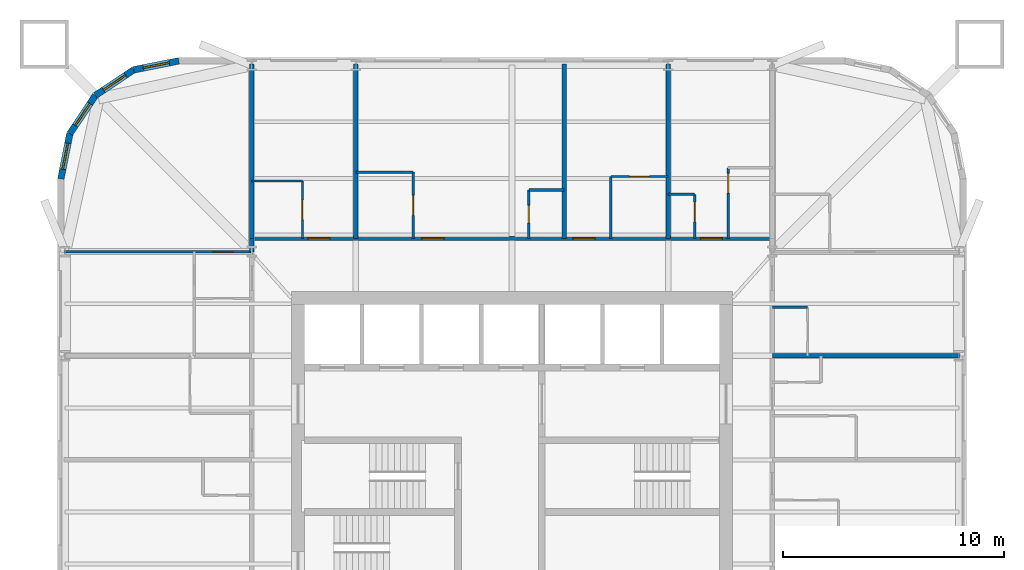
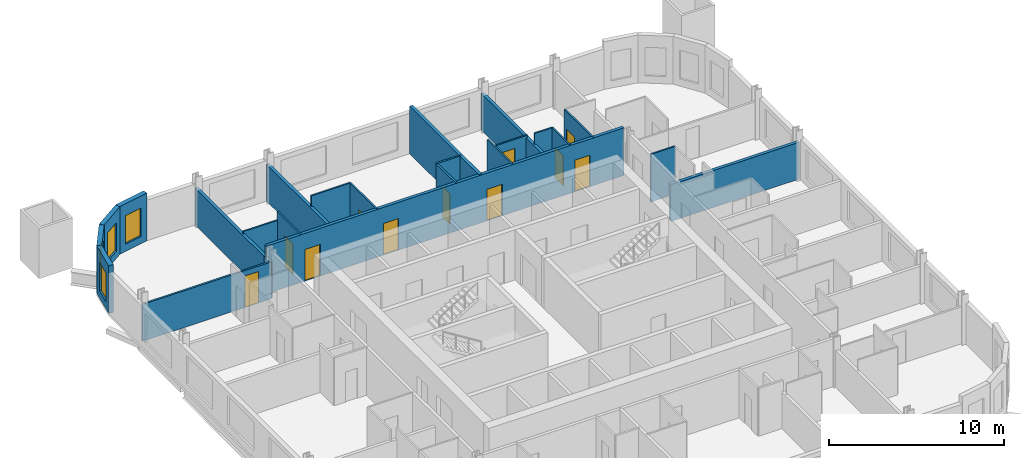
# One storey, part 6 of 8: 24 walls, 11 doors, 4 windows, 15 openings.
"""IFC4 building model written with IfcOpenShell, lengths in metres."""

import ifcopenshell
import ifcopenshell.guid

model = None  # the IFC model being written
_history = None  # IfcOwnerHistory: only IFC2X3 demands one
_inside = {}  # id of a spatial element -> (the spatial element, [elements in it])
_under = {}  # id of a project, library or spatial element -> (it, [spatial elements below it])
_declared = {}  # id of a project -> (the project, [libraries it declares])
_typed = {}  # id of a type object -> (the type object, [elements of that type])
_made_of = {}  # id of a material, layer set ... -> (it, [elements and type objects made of it])


def new_model(schema):
    """Start an empty IFC model of exactly this schema.

    Asked for "IFC4X3", IfcOpenShell would pick the latest addendum, in which some entities
    have other attributes; the version numbers below select the first issue.
    IFC2X3 requires an IfcOwnerHistory on every rooted entity: one is made here for all.
    """
    global model, _history
    if schema == "IFC4X3":
        model = ifcopenshell.file(schema_version=(4, 3, 0, 0))
    else:
        model = ifcopenshell.file(schema=schema)
    _inside.clear()
    _under.clear()
    _declared.clear()
    _typed.clear()
    _made_of.clear()
    _history = None
    if model.schema == "IFC2X3":
        org = make("IfcOrganization", Name="unknown")
        user = make(
            "IfcPersonAndOrganization",
            ThePerson=make("IfcPerson", FamilyName="unknown"),
            TheOrganization=org,
        )
        app = make(
            "IfcApplication",
            ApplicationDeveloper=org,
            Version="unknown",
            ApplicationFullName="unknown",
            ApplicationIdentifier="unknown",
        )
        _history = make(
            "IfcOwnerHistory",
            OwningUser=user,
            OwningApplication=app,
            ChangeAction="ADDED",
            CreationDate=0,
        )
    return model


def make(cls, **values):
    """One entity of the class cls with the attributes given. An attribute that is None is left unset."""
    return model.create_entity(
        cls, **{name: value for name, value in values.items() if value is not None}
    )


def rooted(cls, **values):
    """An entity with a GlobalId (a new one), such as an element, a storey or a relation."""
    return make(cls, GlobalId=ifcopenshell.guid.new(), OwnerHistory=_history, **values)


def si_unit(unit_type, name, prefix=None):
    """IfcSIUnit, for example si_unit("LENGTHUNIT", "METRE", prefix="MILLI")."""
    return make("IfcSIUnit", UnitType=unit_type, Prefix=prefix, Name=name)


def assignment(units):
    """IfcUnitAssignment: the units of a project."""
    return None if units is None else make("IfcUnitAssignment", Units=units)


def point(xyz):
    """IfcCartesianPoint."""
    return None if xyz is None else make("IfcCartesianPoint", Coordinates=xyz)


def direction(xyz):
    """IfcDirection."""
    return None if xyz is None else make("IfcDirection", DirectionRatios=xyz)


def frame(location, z_axis=None, x_axis=None):
    """IfcAxis2Placement3D, a coordinate frame: its origin and axes. An axis left out is left unset."""
    return make(
        "IfcAxis2Placement3D",
        Location=point(location),
        Axis=direction(z_axis),
        RefDirection=direction(x_axis),
    )


def frame_2d(location, x_axis=None):
    """IfcAxis2Placement2D, a coordinate frame in the plane: its origin and x axis."""
    return make(
        "IfcAxis2Placement2D", Location=point(location), RefDirection=direction(x_axis)
    )


def origin():
    """The frame at (0, 0, 0) with its axes left unset."""
    return frame((0.0, 0.0, 0.0))


def place(relative_to, where):
    """IfcLocalPlacement: puts the frame where relative to a parent placement (None: the world)."""
    return make(
        "IfcLocalPlacement", PlacementRelTo=relative_to, RelativePlacement=where
    )


def context(
    kind, dimensions, precision=None, world=None, true_north=None, identifier=None
):
    """IfcGeometricRepresentationContext, for example the 3D "Model" context."""
    return make(
        "IfcGeometricRepresentationContext",
        ContextIdentifier=identifier,
        ContextType=kind,
        CoordinateSpaceDimension=dimensions,
        Precision=precision,
        WorldCoordinateSystem=world,
        TrueNorth=true_north,
    )


def subcontext(parent, identifier, kind, view, scale=None):
    """IfcGeometricRepresentationSubContext, for example "Body" below "Model"."""
    return make(
        "IfcGeometricRepresentationSubContext",
        ContextIdentifier=identifier,
        ContextType=kind,
        ParentContext=parent,
        TargetScale=scale,
        TargetView=view,
    )


def project(units=None, contexts=None):
    """IfcProject with its units and contexts."""
    return rooted(
        "IfcProject",
        Name="project",
        RepresentationContexts=contexts,
        UnitsInContext=assignment(units),
    )


def spatial(cls, under=None, at=None, **own):
    """A site, building, storey or space (cls), placed at a placement, below another one or the project."""
    s = rooted(cls, ObjectPlacement=at, **own)
    if under is not None:
        _under.setdefault(under.id(), (under, []))[1].append(s)
    return s


def profile(cls, at=None, kind="AREA", **sizes):
    """A parametric profile (cls). Its sizes go by their IFC names, for example OverallWidth=200.0."""
    return make(cls, ProfileType=kind, Position=at, **sizes)


def rectangle(**sizes):
    """IfcRectangleProfileDef."""
    return profile("IfcRectangleProfileDef", **sizes)


def extrude(swept, where, along, depth):
    """IfcExtrudedAreaSolid: the profile swept, set in the frame where, extruded along a direction by depth."""
    return make(
        "IfcExtrudedAreaSolid",
        SweptArea=swept,
        Position=where,
        ExtrudedDirection=direction(along),
        Depth=depth,
    )


def shape(context_of_items, identifier, shape_type, items):
    """IfcShapeRepresentation: the items that make up one representation, for example the "Body"."""
    return make(
        "IfcShapeRepresentation",
        ContextOfItems=context_of_items,
        RepresentationIdentifier=identifier,
        RepresentationType=shape_type,
        Items=items,
    )


def material(Name=None, Category=None):
    """IfcMaterial."""
    return make("IfcMaterial", Name=Name, Category=Category)


def layer(
    of_material, thickness, ventilated=None, Name=None, Category=None, Priority=None
):
    """IfcMaterialLayer: one layer of a wall or slab, of a material (None: an air gap)."""
    return make(
        "IfcMaterialLayer",
        Material=of_material,
        LayerThickness=thickness,
        IsVentilated=ventilated,
        Name=Name,
        Category=Category,
        Priority=Priority,
    )


def layer_set(layers, Name=None):
    """IfcMaterialLayerSet."""
    return make("IfcMaterialLayerSet", MaterialLayers=layers, LayerSetName=Name)


def made_of(thing, what):
    """Note that an element or type object is made of a material, layer set ...; save() writes the relation."""
    if what is not None:
        _made_of.setdefault(what.id(), (what, []))[1].append(thing)
    return thing


def type_object(cls, material=None, **own):
    """A type object (cls), such as IfcWallType, which elements share."""
    return made_of(rooted(cls, **own), material)


def element(
    cls,
    number,
    at=None,
    inside=None,
    cuts=None,
    type_object=None,
    material=None,
    context=None,
    identifier="Body",
    shape_type=None,
    held_by="IfcProductDefinitionShape",
    body=None,
    shapes=None,
    **own,
):
    """One element of the class cls, such as IfcWall. Its Tag is "e" and its number.

    at: its placement. inside: the storey or other place that contains it. cuts: it is an
    opening in that element (IfcRelVoidsElement). A single representation is given by context,
    identifier, shape_type and body (its items); several are given by shapes. held_by: the class
    of the entity that holds the representations. save() writes the other relations.
    """
    e = rooted(cls, Tag="e%d" % number, ObjectPlacement=at, **own)
    if body is not None:
        shapes = [shape(context, identifier, shape_type, body)]
    if shapes is not None:
        e.Representation = make(held_by, Representations=shapes)
    if inside is not None:
        _inside.setdefault(inside.id(), (inside, []))[1].append(e)
    if cuts is not None:
        rooted(
            "IfcRelVoidsElement", RelatingBuildingElement=cuts, RelatedOpeningElement=e
        )
    if type_object is not None:
        _typed.setdefault(type_object.id(), (type_object, []))[1].append(e)
    return made_of(e, material)


def fill(opening, filler):
    """IfcRelFillsElement: the door or window that sits in an opening."""
    return rooted(
        "IfcRelFillsElement",
        RelatingOpeningElement=opening,
        RelatedBuildingElement=filler,
    )


def aggregate(whole, parts):
    """IfcRelAggregates: a whole, such as a stair, and the parts it consists of."""
    return rooted("IfcRelAggregates", RelatingObject=whole, RelatedObjects=parts)


def save(model, path):
    """Write the relations noted so far, then the file.

    IfcRelAggregates (storeys below a building ...), IfcRelContainedInSpatialStructure (elements
    in a storey), IfcRelDefinesByType, IfcRelAssociatesMaterial and IfcRelDeclares: one each for
    every whole, place, type object, material and project.
    """
    for whole, parts in _under.values():
        aggregate(whole, parts)
    for where, things in _inside.values():
        rooted(
            "IfcRelContainedInSpatialStructure",
            RelatedElements=things,
            RelatingStructure=where,
        )
    for kind, things in _typed.values():
        rooted("IfcRelDefinesByType", RelatedObjects=things, RelatingType=kind)
    for what, things in _made_of.values():
        rooted("IfcRelAssociatesMaterial", RelatedObjects=things, RelatingMaterial=what)
    for by, libraries in _declared.values():
        rooted("IfcRelDeclares", RelatingContext=by, RelatedDefinitions=libraries)
    model.write(path)


model = new_model("IFC4")

# Units and contexts
model_context = context("Model", 3, precision=1e-05, world=origin(), true_north=direction((0.0, 1.0)))
body_context = subcontext(model_context, "Body", "Model", "MODEL_VIEW")
ifc_project = project(units=[si_unit("LENGTHUNIT", "METRE"), si_unit("AREAUNIT", "SQUARE_METRE"), si_unit("VOLUMEUNIT", "CUBIC_METRE"), si_unit("PLANEANGLEUNIT", "RADIAN"), si_unit("MASSUNIT", "GRAM", prefix="KILO")], contexts=[model_context])

# Site, building, storey
site_placement = place(None, origin())
site = spatial("IfcSite", under=ifc_project, at=site_placement, CompositionType="ELEMENT")
building_placement = place(site_placement, origin())
building = spatial("IfcBuilding", under=site, at=building_placement, Name="Turquesa Mirador Hotel Tower", CompositionType="ELEMENT")
storey_placement = place(building_placement, frame((0.0, 0.0, 103.89990234375)))
storey = spatial("IfcBuildingStorey", under=building, at=storey_placement, Name="L27", CompositionType="ELEMENT", Elevation=103.89990234375)

# Walls
ifc_material_1 = material(Name="Gypsum board on steel studs", Category="steel")
ifc_layer_1 = layer(ifc_material_1, 0.10009765625)
ifc_layer_set_1 = layer_set([ifc_layer_1], Name="BATHROOM WALL 100")
wall_type_1 = type_object("IfcWallType", Name="BATHROOM WALL 100", PredefinedType="PARTITIONING", material=ifc_layer_set_1)
wall_1_placement = place(storey_placement, frame((62.080078125, 59.39990234375, 0.0), z_axis=(0.0, 0.0, 1.0), x_axis=(1.0, 0.0, 0.0)))
element("IfcWall", 1, at=wall_1_placement, inside=storey, type_object=wall_type_1, Name="Partition L27 025", PredefinedType="PARTITIONING", context=body_context, shape_type="SweptSolid", body=[
    extrude(rectangle(XDim=1.199951171875, YDim=0.10009765625, at=frame_2d((0.60009765625, 0.0))), origin(), (0.0, 0.0, 1.0), 3.330078125),
])
wall_2_placement = place(storey_placement, frame((43.199951171875, 60.0, 0.0), z_axis=(0.0, 0.0, 1.0), x_axis=(1.0, 0.0, 0.0)))
element("IfcWall", 2, at=wall_2_placement, inside=storey, type_object=wall_type_1, Name="Partition L27 028", PredefinedType="PARTITIONING", context=body_context, shape_type="SweptSolid", body=[
    extrude(rectangle(XDim=2.300048828125, YDim=0.10009765625, at=frame_2d((1.14990234375, 0.0))), origin(), (0.0, 0.0, 1.0), 2.730712890625),
])

# Wall, opening, door
wall_3_placement = place(storey_placement, frame((59.47998046875, 60.199951171875, 0.0), z_axis=(0.0, 0.0, 1.0), x_axis=(1.0, 0.0, 0.0)))
wall_3 = element("IfcWall", 3, at=wall_3_placement, inside=storey, type_object=wall_type_1, Name="Partition L27 029", PredefinedType="PARTITIONING", context=body_context, shape_type="SweptSolid", body=[
    extrude(rectangle(XDim=2.60009765625, YDim=0.10009765625, at=frame_2d((1.300048828125, 0.0))), origin(), (0.0, 0.0, 1.0), 2.730712890625),
])
opening_1_placement = place(wall_3_placement, frame((0.85009765625, 0.0, 0.0)))
opening_1 = element("IfcOpeningElement", 4, at=opening_1_placement, cuts=wall_3, Name="Opening D02", PredefinedType="OPENING", context=body_context, shape_type="SweptSolid", body=[
    extrude(rectangle(XDim=0.89990234375, YDim=2.10009765625, at=frame_2d((0.449951171875, 1.050048828125))), frame((0.0, 0.06005859375, 0.0), z_axis=(0.0, -1.0, 0.0), x_axis=(1.0, 0.0, 0.0)), (0.0, 0.0, 1.0), 0.1201171875),
])
ifc_material_2 = material(Name="Timber veneered door", Category="wood")
door_type_1 = type_object("IfcDoorType", Name="DOOR 900X2100 EN-SUITE", OperationType="SINGLE_SWING_RIGHT", PredefinedType="DOOR", material=ifc_material_2)
door_1_placement = place(opening_1_placement, origin())
door_1 = element("IfcDoor", 5, at=door_1_placement, inside=storey, type_object=door_type_1, Name="Door 2703B", OperationType="SINGLE_SWING_RIGHT", OverallHeight=2.10009765625, OverallWidth=0.89990234375, PredefinedType="DOOR", context=body_context, shape_type="SweptSolid", body=[
    extrude(rectangle(XDim=0.89990234375, YDim=2.10009765625, at=frame_2d((0.449951171875, 1.050048828125))), frame((0.0, 0.02490234375, 0.0), z_axis=(0.0, -1.0, 0.0), x_axis=(1.0, 0.0, 0.0)), (0.0, 0.0, 1.0), 0.050048828125),
])
fill(opening_1, door_1)

# Walls
wall_4_placement = place(storey_placement, frame((47.919921875, 60.39990234375, 0.0), z_axis=(0.0, 0.0, 1.0), x_axis=(1.0, 0.0, 0.0)))
element("IfcWall", 6, at=wall_4_placement, inside=storey, type_object=wall_type_1, Name="Partition L27 030", PredefinedType="PARTITIONING", context=body_context, shape_type="SweptSolid", body=[
    extrude(rectangle(XDim=2.60009765625, YDim=0.10009765625, at=frame_2d((1.300048828125, 0.0))), origin(), (0.0, 0.0, 1.0), 3.330078125),
])
wall_5_placement = place(storey_placement, frame((66.800048828125, 54.280029296875, 0.0), z_axis=(0.0, 0.0, 1.0), x_axis=(1.0, 0.0, 0.0)))
element("IfcWall", 7, at=wall_5_placement, inside=storey, type_object=wall_type_1, Name="Partition L27 040", PredefinedType="PARTITIONING", context=body_context, shape_type="SweptSolid", body=[
    extrude(rectangle(XDim=1.599853515625, YDim=0.10009765625, at=frame_2d((0.7998046875, 0.0))), origin(), (0.0, 0.0, 1.0), 3.330078125),
])

# Wall, opening, door
wall_6_placement = place(storey_placement, frame((50.52001953125, 57.39990234375, 0.0), z_axis=(0.0, 0.0, 1.0), x_axis=(0.0, 1.0, 0.0)))
wall_6 = element("IfcWall", 8, at=wall_6_placement, inside=storey, type_object=wall_type_1, Name="Partition L27 054", PredefinedType="PARTITIONING", context=body_context, shape_type="SweptSolid", body=[
    extrude(rectangle(XDim=3.0, YDim=0.10009765625, at=frame_2d((1.5, 0.0))), origin(), (0.0, 0.0, 1.0), 3.330078125),
])
opening_2_placement = place(wall_6_placement, frame((1.050048828125, 0.0, 0.0)))
opening_2 = element("IfcOpeningElement", 9, at=opening_2_placement, cuts=wall_6, Name="Opening D02", PredefinedType="OPENING", context=body_context, shape_type="SweptSolid", body=[
    extrude(rectangle(XDim=0.89990234375, YDim=2.10009765625, at=frame_2d((0.449951171875, 1.050048828125))), frame((0.0, 0.06005859375, 0.0), z_axis=(0.0, -1.0, 0.0), x_axis=(1.0, 0.0, 0.0)), (0.0, 0.0, 1.0), 0.1201171875),
])
door_2_placement = place(opening_2_placement, origin())
door_2 = element("IfcDoor", 10, at=door_2_placement, inside=storey, type_object=door_type_1, Name="Door 2702B", OperationType="SINGLE_SWING_RIGHT", OverallHeight=2.10009765625, OverallWidth=0.89990234375, PredefinedType="DOOR", context=body_context, shape_type="SweptSolid", body=[
    extrude(rectangle(XDim=0.89990234375, YDim=2.10009765625, at=frame_2d((0.449951171875, 1.050048828125))), frame((0.0, 0.02490234375, 0.0), z_axis=(0.0, -1.0, 0.0), x_axis=(1.0, 0.0, 0.0)), (0.0, 0.0, 1.0), 0.050048828125),
])
fill(opening_2, door_2)

wall_7_placement = place(storey_placement, frame((45.5, 57.39990234375, 0.0), z_axis=(0.0, 0.0, 1.0), x_axis=(0.0, 1.0, 0.0)))
wall_7 = element("IfcWall", 11, at=wall_7_placement, inside=storey, type_object=wall_type_1, Name="Partition L27 057", PredefinedType="PARTITIONING", context=body_context, shape_type="SweptSolid", body=[
    extrude(rectangle(XDim=2.60009765625, YDim=0.10009765625, at=frame_2d((1.300048828125, 0.0))), origin(), (0.0, 0.0, 1.0), 3.330078125),
])
opening_3_placement = place(wall_7_placement, frame((0.85009765625, 0.0, 0.0)))
opening_3 = element("IfcOpeningElement", 12, at=opening_3_placement, cuts=wall_7, Name="Opening D02", PredefinedType="OPENING", context=body_context, shape_type="SweptSolid", body=[
    extrude(rectangle(XDim=0.89990234375, YDim=2.10009765625, at=frame_2d((0.449951171875, 1.050048828125))), frame((0.0, 0.06005859375, 0.0), z_axis=(0.0, -1.0, 0.0), x_axis=(1.0, 0.0, 0.0)), (0.0, 0.0, 1.0), 0.1201171875),
])
door_3_placement = place(opening_3_placement, origin())
door_3 = element("IfcDoor", 13, at=door_3_placement, inside=storey, type_object=door_type_1, Name="Door 2701B", OperationType="SINGLE_SWING_RIGHT", OverallHeight=2.10009765625, OverallWidth=0.89990234375, PredefinedType="DOOR", context=body_context, shape_type="SweptSolid", body=[
    extrude(rectangle(XDim=0.89990234375, YDim=2.10009765625, at=frame_2d((0.449951171875, 1.050048828125))), frame((0.0, 0.02490234375, 0.0), z_axis=(0.0, -1.0, 0.0), x_axis=(1.0, 0.0, 0.0)), (0.0, 0.0, 1.0), 0.050048828125),
])
fill(opening_3, door_3)

# Wall
wall_8_placement = place(storey_placement, frame((59.47998046875, 57.39990234375, 0.0), z_axis=(0.0, 0.0, 1.0), x_axis=(0.0, 1.0, 0.0)))
element("IfcWall", 14, at=wall_8_placement, inside=storey, type_object=wall_type_1, Name="Partition L27 073", PredefinedType="PARTITIONING", context=body_context, shape_type="SweptSolid", body=[
    extrude(rectangle(XDim=2.800048828125, YDim=0.10009765625, at=frame_2d((1.39990234375, 0.0))), origin(), (0.0, 0.0, 1.0), 3.330078125),
])

# Wall, opening, door
wall_9_placement = place(storey_placement, frame((63.280029296875, 57.39990234375, 0.0), z_axis=(0.0, 0.0, 1.0), x_axis=(0.0, 1.0, 0.0)))
wall_9 = element("IfcWall", 15, at=wall_9_placement, inside=storey, type_object=wall_type_1, Name="Partition L27 077", PredefinedType="PARTITIONING", context=body_context, shape_type="SweptSolid", body=[
    extrude(rectangle(XDim=2.0, YDim=0.10009765625, at=frame_2d((1.0, 0.0))), origin(), (0.0, 0.0, 1.0), 3.330078125),
])
opening_4_placement = place(wall_9_placement, frame((0.75, 0.0, 0.0)))
opening_4 = element("IfcOpeningElement", 16, at=opening_4_placement, cuts=wall_9, Name="Opening D06", PredefinedType="OPENING", context=body_context, shape_type="SweptSolid", body=[
    extrude(rectangle(XDim=0.89990234375, YDim=2.10009765625, at=frame_2d((0.449951171875, 1.050048828125))), frame((0.0, 0.06005859375, 0.0), z_axis=(0.0, -1.0, 0.0), x_axis=(1.0, 0.0, 0.0)), (0.0, 0.0, 1.0), 0.1201171875),
])
ifc_material_3 = material(Name="Laminate door", Category="wood")
door_type_2 = type_object("IfcDoorType", Name="DOOR 900X2100 WC", OperationType="SINGLE_SWING_LEFT", PredefinedType="DOOR", material=ifc_material_3)
door_4_placement = place(opening_4_placement, origin())
door_4 = element("IfcDoor", 17, at=door_4_placement, inside=storey, type_object=door_type_2, Name="Door 2704W", OperationType="SINGLE_SWING_LEFT", OverallHeight=2.10009765625, OverallWidth=0.89990234375, PredefinedType="DOOR", context=body_context, shape_type="SweptSolid", body=[
    extrude(rectangle(XDim=0.89990234375, YDim=2.10009765625, at=frame_2d((0.449951171875, 1.050048828125))), frame((0.0, 0.02490234375, 0.0), z_axis=(0.0, -1.0, 0.0), x_axis=(1.0, 0.0, 0.0)), (0.0, 0.0, 1.0), 0.050048828125),
])
fill(opening_4, door_4)

wall_10_placement = place(storey_placement, frame((64.800048828125, 57.39990234375, 0.0), z_axis=(0.0, 0.0, 1.0), x_axis=(0.0, 1.0, 0.0)))
wall_10 = element("IfcWall", 18, at=wall_10_placement, inside=storey, type_object=wall_type_1, Name="Partition L27 079", PredefinedType="PARTITIONING", context=body_context, shape_type="SweptSolid", body=[
    extrude(rectangle(XDim=3.2001953125, YDim=0.10009765625, at=frame_2d((1.60009765625, 0.0))), origin(), (0.0, 0.0, 1.0), 3.330078125),
])
opening_5_placement = place(wall_10_placement, frame((2.050048828125, 0.0, 0.0)))
opening_5 = element("IfcOpeningElement", 19, at=opening_5_placement, cuts=wall_10, Name="Opening D02", PredefinedType="OPENING", context=body_context, shape_type="SweptSolid", body=[
    extrude(rectangle(XDim=0.89990234375, YDim=2.10009765625, at=frame_2d((0.449951171875, 1.050048828125))), frame((0.0, 0.06005859375, 0.0), z_axis=(0.0, -1.0, 0.0), x_axis=(1.0, 0.0, 0.0)), (0.0, 0.0, 1.0), 0.1201171875),
])
door_5_placement = place(opening_5_placement, origin())
door_5 = element("IfcDoor", 20, at=door_5_placement, inside=storey, type_object=door_type_1, Name="Door 2704B", OperationType="SINGLE_SWING_RIGHT", OverallHeight=2.10009765625, OverallWidth=0.89990234375, PredefinedType="DOOR", context=body_context, shape_type="SweptSolid", body=[
    extrude(rectangle(XDim=0.89990234375, YDim=2.10009765625, at=frame_2d((0.449951171875, 1.050048828125))), frame((0.0, 0.02490234375, 0.0), z_axis=(0.0, -1.0, 0.0), x_axis=(1.0, 0.0, 0.0)), (0.0, 0.0, 1.0), 0.050048828125),
])
fill(opening_5, door_5)

# Wall, openings, doors
ifc_material_4 = material(Name="Fire-rated gypsum board on steel studs", Category="steel")
ifc_layer_2 = layer(ifc_material_4, 0.199951171875)
ifc_layer_set_2 = layer_set([ifc_layer_2], Name="CORRIDOR WALL 200")
wall_type_2 = type_object("IfcWallType", Name="CORRIDOR WALL 200", PredefinedType="PARTITIONING", material=ifc_layer_set_2)
wall_11_placement = place(storey_placement, frame((43.199951171875, 57.39990234375, 0.0), z_axis=(0.0, 0.0, 1.0), x_axis=(1.0, 0.0, 0.0)))
wall_11 = element("IfcWall", 21, at=wall_11_placement, inside=storey, type_object=wall_type_2, Name="Partition L27 024", PredefinedType="PARTITIONING", context=body_context, shape_type="SweptSolid", body=[
    extrude(rectangle(XDim=23.60009765625, YDim=0.199951171875, at=frame_2d((11.800048828125, 0.0))), origin(), (0.0, 0.0, 1.0), 3.330078125),
])
opening_6_placement = place(wall_11_placement, frame((2.550048828125, 0.0, 0.0)))
opening_6 = element("IfcOpeningElement", 22, at=opening_6_placement, cuts=wall_11, Name="Opening D01", PredefinedType="OPENING", context=body_context, shape_type="SweptSolid", body=[
    extrude(rectangle(XDim=1.0, YDim=2.199951171875, at=frame_2d((0.5, 1.10009765625))), frame((0.0, 0.10986328125, 0.0), z_axis=(0.0, -1.0, 0.0), x_axis=(1.0, 0.0, 0.0)), (0.0, 0.0, 1.0), 0.219970703125),
])
opening_7_placement = place(wall_11_placement, frame((7.719970703125, 0.0, 0.0)))
opening_7 = element("IfcOpeningElement", 23, at=opening_7_placement, cuts=wall_11, Name="Opening D01", PredefinedType="OPENING", context=body_context, shape_type="SweptSolid", body=[
    extrude(rectangle(XDim=1.0, YDim=2.199951171875, at=frame_2d((0.5, 1.10009765625))), frame((0.0, 0.10986328125, 0.0), z_axis=(0.0, -1.0, 0.0), x_axis=(1.0, 0.0, 0.0)), (0.0, 0.0, 1.0), 0.219970703125),
])
opening_8_placement = place(wall_11_placement, frame((14.56005859375, 0.0, 0.0)))
opening_8 = element("IfcOpeningElement", 24, at=opening_8_placement, cuts=wall_11, Name="Opening D01", PredefinedType="OPENING", context=body_context, shape_type="SweptSolid", body=[
    extrude(rectangle(XDim=1.0, YDim=2.199951171875, at=frame_2d((0.5, 1.10009765625))), frame((0.0, 0.10986328125, 0.0), z_axis=(0.0, -1.0, 0.0), x_axis=(1.0, 0.0, 0.0)), (0.0, 0.0, 1.0), 0.219970703125),
])
opening_9_placement = place(wall_11_placement, frame((20.340087890625, 0.0, 0.0)))
opening_9 = element("IfcOpeningElement", 25, at=opening_9_placement, cuts=wall_11, Name="Opening D01", PredefinedType="OPENING", context=body_context, shape_type="SweptSolid", body=[
    extrude(rectangle(XDim=1.0, YDim=2.199951171875, at=frame_2d((0.5, 1.10009765625))), frame((0.0, 0.10986328125, 0.0), z_axis=(0.0, -1.0, 0.0), x_axis=(1.0, 0.0, 0.0)), (0.0, 0.0, 1.0), 0.219970703125),
])
ifc_material_5 = material(Name="Timber veneered fire door", Category="wood")
door_type_3 = type_object("IfcDoorType", Name="DOOR 1000X2200 GUEST ENTRY", OperationType="SINGLE_SWING_LEFT", PredefinedType="DOOR", material=ifc_material_5)
door_6_placement = place(opening_6_placement, origin())
door_6 = element("IfcDoor", 26, at=door_6_placement, inside=storey, type_object=door_type_3, Name="Door 2701", OperationType="SINGLE_SWING_LEFT", OverallHeight=2.199951171875, OverallWidth=1.0, PredefinedType="DOOR", context=body_context, shape_type="SweptSolid", body=[
    extrude(rectangle(XDim=1.0, YDim=2.199951171875, at=frame_2d((0.5, 1.10009765625))), frame((0.0, 0.02490234375, 0.0), z_axis=(0.0, -1.0, 0.0), x_axis=(1.0, 0.0, 0.0)), (0.0, 0.0, 1.0), 0.050048828125),
])
fill(opening_6, door_6)
door_7_placement = place(opening_7_placement, origin())
door_7 = element("IfcDoor", 27, at=door_7_placement, inside=storey, type_object=door_type_3, Name="Door 2702", OperationType="SINGLE_SWING_LEFT", OverallHeight=2.199951171875, OverallWidth=1.0, PredefinedType="DOOR", context=body_context, shape_type="SweptSolid", body=[
    extrude(rectangle(XDim=1.0, YDim=2.199951171875, at=frame_2d((0.5, 1.10009765625))), frame((0.0, 0.02490234375, 0.0), z_axis=(0.0, -1.0, 0.0), x_axis=(1.0, 0.0, 0.0)), (0.0, 0.0, 1.0), 0.050048828125),
])
fill(opening_7, door_7)
door_8_placement = place(opening_8_placement, origin())
door_8 = element("IfcDoor", 28, at=door_8_placement, inside=storey, type_object=door_type_3, Name="Door 2703", OperationType="SINGLE_SWING_LEFT", OverallHeight=2.199951171875, OverallWidth=1.0, PredefinedType="DOOR", context=body_context, shape_type="SweptSolid", body=[
    extrude(rectangle(XDim=1.0, YDim=2.199951171875, at=frame_2d((0.5, 1.10009765625))), frame((0.0, 0.02490234375, 0.0), z_axis=(0.0, -1.0, 0.0), x_axis=(1.0, 0.0, 0.0)), (0.0, 0.0, 1.0), 0.050048828125),
])
fill(opening_8, door_8)
door_9_placement = place(opening_9_placement, origin())
door_9 = element("IfcDoor", 29, at=door_9_placement, inside=storey, type_object=door_type_3, Name="Door 2704", OperationType="SINGLE_SWING_LEFT", OverallHeight=2.199951171875, OverallWidth=1.0, PredefinedType="DOOR", context=body_context, shape_type="SweptSolid", body=[
    extrude(rectangle(XDim=1.0, YDim=2.199951171875, at=frame_2d((0.5, 1.10009765625))), frame((0.0, 0.02490234375, 0.0), z_axis=(0.0, -1.0, 0.0), x_axis=(1.0, 0.0, 0.0)), (0.0, 0.0, 1.0), 0.050048828125),
])
fill(opening_9, door_9)

# Wall
wall_12_placement = place(storey_placement, frame((43.199951171875, 56.780029296875, 0.0), z_axis=(0.0, 0.0, 1.0), x_axis=(0.0, 1.0, 0.0)))
element("IfcWall", 30, at=wall_12_placement, inside=storey, type_object=wall_type_2, Name="Partition L27 080", PredefinedType="PARTITIONING", context=body_context, shape_type="SweptSolid", body=[
    extrude(rectangle(XDim=0.619873046875, YDim=0.199951171875, at=frame_2d((0.31005859375, 0.0))), origin(), (0.0, 0.0, 1.0), 2.5732421875),
])

# Wall, opening, window
ifc_material_6 = material(Name="Limestone cladding on concrete block", Category="masonry")
ifc_layer_3 = layer(ifc_material_6, 0.300048828125)
ifc_layer_set_3 = layer_set([ifc_layer_3], Name="FACADE WALL 300 STONE SCREEN")
wall_type_3 = type_object("IfcWallType", Name="FACADE WALL 300 STONE SCREEN", PredefinedType="SOLIDWALL", material=ifc_layer_set_3)
wall_13_placement = place(storey_placement, frame((39.89990234375, 65.449951171875, 0.0), z_axis=(0.0, 0.0, 1.0), x_axis=(-0.980787050784, -0.195081421501, 0.0)))
wall_13 = element("IfcWall", 31, at=wall_13_placement, inside=storey, type_object=wall_type_3, Name="Facade wall L27 10", PredefinedType="SOLIDWALL", context=body_context, shape_type="SweptSolid", body=[
    extrude(rectangle(XDim=2.08740234375, YDim=0.300048828125, at=frame_2d((1.043701171875, 0.0))), origin(), (0.0, 0.0, 1.0), 3.330078125),
])
opening_10_placement = place(wall_13_placement, frame((0.443603515625, 0.0, 0.5)))
opening_10 = element("IfcOpeningElement", 32, at=opening_10_placement, cuts=wall_13, Name="Opening WN4", PredefinedType="OPENING", context=body_context, shape_type="SweptSolid", body=[
    extrude(rectangle(XDim=1.199951171875, YDim=2.0, at=frame_2d((0.60009765625, 1.0))), frame((0.0, 0.159912109375, 0.0), z_axis=(0.0, -1.0, 0.0), x_axis=(1.0, 0.0, 0.0)), (0.0, 0.0, 1.0), 0.320068359375),
])
ifc_material_7 = material(Name="Ceramic-fritted laminated glass", Category="glass")
window_type = type_object("IfcWindowType", Name="FRITTED CORNER WINDOW 1200X2000", PartitioningType="DOUBLE_PANEL_HORIZONTAL", PredefinedType="WINDOW", material=ifc_material_7)
window_1_placement = place(opening_10_placement, origin())
window_1 = element("IfcWindow", 33, at=window_1_placement, inside=storey, type_object=window_type, Name="Window L27", OverallHeight=2.0, OverallWidth=1.199951171875, PartitioningType="SINGLE_PANEL", PredefinedType="WINDOW", context=body_context, shape_type="SweptSolid", body=[
    extrude(rectangle(XDim=1.199951171875, YDim=2.0, at=frame_2d((0.60009765625, 1.0))), frame((0.0, 0.030029296875, 0.0), z_axis=(0.0, -1.0, 0.0), x_axis=(1.0, 0.0, 0.0)), (0.0, 0.0, 1.0), 0.06005859375),
])
fill(opening_10, window_1)

wall_14_placement = place(storey_placement, frame((37.8525390625, 65.042724609375, 0.0), z_axis=(0.0, 0.0, 1.0), x_axis=(-0.831474039234, -0.555563607591, 0.0)))
wall_14 = element("IfcWall", 34, at=wall_14_placement, inside=storey, type_object=wall_type_3, Name="Facade wall L27 11", PredefinedType="SOLIDWALL", context=body_context, shape_type="SweptSolid", body=[
    extrude(rectangle(XDim=2.08740234375, YDim=0.300048828125, at=frame_2d((1.043701171875, 0.0))), origin(), (0.0, 0.0, 1.0), 3.330078125),
])
opening_11_placement = place(wall_14_placement, frame((0.443603515625, 0.0, 0.5)))
opening_11 = element("IfcOpeningElement", 35, at=opening_11_placement, cuts=wall_14, Name="Opening WN4", PredefinedType="OPENING", context=body_context, shape_type="SweptSolid", body=[
    extrude(rectangle(XDim=1.199951171875, YDim=2.0, at=frame_2d((0.60009765625, 1.0))), frame((0.0, 0.159912109375, 0.0), z_axis=(0.0, -1.0, 0.0), x_axis=(1.0, 0.0, 0.0)), (0.0, 0.0, 1.0), 0.320068359375),
])
window_2_placement = place(opening_11_placement, origin())
window_2 = element("IfcWindow", 36, at=window_2_placement, inside=storey, type_object=window_type, Name="Window L27", OverallHeight=2.0, OverallWidth=1.199951171875, PartitioningType="SINGLE_PANEL", PredefinedType="WINDOW", context=body_context, shape_type="SweptSolid", body=[
    extrude(rectangle(XDim=1.199951171875, YDim=2.0, at=frame_2d((0.60009765625, 1.0))), frame((0.0, 0.030029296875, 0.0), z_axis=(0.0, -1.0, 0.0), x_axis=(1.0, 0.0, 0.0)), (0.0, 0.0, 1.0), 0.06005859375),
])
fill(opening_11, window_2)

wall_15_placement = place(storey_placement, frame((36.116943359375, 63.883056640625, 0.0), z_axis=(0.0, 0.0, 1.0), x_axis=(-0.555563607591, -0.831474039234, 0.0)))
wall_15 = element("IfcWall", 37, at=wall_15_placement, inside=storey, type_object=wall_type_3, Name="Facade wall L27 12", PredefinedType="SOLIDWALL", context=body_context, shape_type="SweptSolid", body=[
    extrude(rectangle(XDim=2.08740234375, YDim=0.300048828125, at=frame_2d((1.043701171875, 0.0))), origin(), (0.0, 0.0, 1.0), 3.330078125),
])
opening_12_placement = place(wall_15_placement, frame((0.443603515625, 0.0, 0.5)))
opening_12 = element("IfcOpeningElement", 38, at=opening_12_placement, cuts=wall_15, Name="Opening WN4", PredefinedType="OPENING", context=body_context, shape_type="SweptSolid", body=[
    extrude(rectangle(XDim=1.199951171875, YDim=2.0, at=frame_2d((0.60009765625, 1.0))), frame((0.0, 0.159912109375, 0.0), z_axis=(0.0, -1.0, 0.0), x_axis=(1.0, 0.0, 0.0)), (0.0, 0.0, 1.0), 0.320068359375),
])
window_3_placement = place(opening_12_placement, origin())
window_3 = element("IfcWindow", 39, at=window_3_placement, inside=storey, type_object=window_type, Name="Window L27", OverallHeight=2.0, OverallWidth=1.199951171875, PartitioningType="SINGLE_PANEL", PredefinedType="WINDOW", context=body_context, shape_type="SweptSolid", body=[
    extrude(rectangle(XDim=1.199951171875, YDim=2.0, at=frame_2d((0.60009765625, 1.0))), frame((0.0, 0.030029296875, 0.0), z_axis=(0.0, -1.0, 0.0), x_axis=(1.0, 0.0, 0.0)), (0.0, 0.0, 1.0), 0.06005859375),
])
fill(opening_12, window_3)

wall_16_placement = place(storey_placement, frame((34.957275390625, 62.1474609375, 0.0), z_axis=(0.0, 0.0, 1.0), x_axis=(-0.195081421501, -0.980787050784, 0.0)))
wall_16 = element("IfcWall", 40, at=wall_16_placement, inside=storey, type_object=wall_type_3, Name="Facade wall L27 13", PredefinedType="SOLIDWALL", context=body_context, shape_type="SweptSolid", body=[
    extrude(rectangle(XDim=2.08740234375, YDim=0.300048828125, at=frame_2d((1.043701171875, 0.0))), origin(), (0.0, 0.0, 1.0), 3.330078125),
])
opening_13_placement = place(wall_16_placement, frame((0.443603515625, 0.0, 0.5)))
opening_13 = element("IfcOpeningElement", 41, at=opening_13_placement, cuts=wall_16, Name="Opening WN4", PredefinedType="OPENING", context=body_context, shape_type="SweptSolid", body=[
    extrude(rectangle(XDim=1.199951171875, YDim=2.0, at=frame_2d((0.60009765625, 1.0))), frame((0.0, 0.159912109375, 0.0), z_axis=(0.0, -1.0, 0.0), x_axis=(1.0, 0.0, 0.0)), (0.0, 0.0, 1.0), 0.320068359375),
])
window_4_placement = place(opening_13_placement, origin())
window_4 = element("IfcWindow", 42, at=window_4_placement, inside=storey, type_object=window_type, Name="Window L27", OverallHeight=2.0, OverallWidth=1.199951171875, PartitioningType="SINGLE_PANEL", PredefinedType="WINDOW", context=body_context, shape_type="SweptSolid", body=[
    extrude(rectangle(XDim=1.199951171875, YDim=2.0, at=frame_2d((0.60009765625, 1.0))), frame((0.0, 0.030029296875, 0.0), z_axis=(0.0, -1.0, 0.0), x_axis=(1.0, 0.0, 0.0)), (0.0, 0.0, 1.0), 0.06005859375),
])
fill(opening_13, window_4)

# Walls
ifc_material_8 = material(Name="Fire-rated gypsum board on steel studs", Category="steel")
ifc_layer_4 = layer(ifc_material_8, 0.199951171875)
ifc_layer_set_4 = layer_set([ifc_layer_4], Name="PARTY WALL 200")
wall_type_4 = type_object("IfcWallType", Name="PARTY WALL 200", PredefinedType="PARTITIONING", material=ifc_layer_set_4)
wall_17_placement = place(storey_placement, frame((66.800048828125, 52.080078125, 0.0), z_axis=(0.0, 0.0, 1.0), x_axis=(1.0, 0.0, 0.0)))
element("IfcWall", 43, at=wall_17_placement, inside=storey, type_object=wall_type_4, Name="Partition L27 039", PredefinedType="PARTITIONING", context=body_context, shape_type="SweptSolid", body=[
    extrude(rectangle(XDim=8.5, YDim=0.199951171875, at=frame_2d((4.25, 0.0))), origin(), (0.0, 0.0, 1.0), 2.5732421875),
])
for number, where, z_axis, x_axis, name in (
    (44, (43.199951171875, 57.39990234375, 0.0), (0.0, 0.0, 1.0), (0.0, 1.0, 0.0), "Partition L27 044"),
    (45, (47.919921875, 57.39990234375, 0.0), (0.0, 0.0, 1.0), (0.0, 1.0, 0.0), "Partition L27 055"),
):
    element("IfcWall", number, at=place(storey_placement, frame(where, z_axis=z_axis, x_axis=x_axis)), inside=storey, type_object=wall_type_4, Name=name, PredefinedType="PARTITIONING", context=body_context, shape_type="SweptSolid", body=[
        extrude(rectangle(XDim=7.900146484375, YDim=0.199951171875, at=frame_2d((3.9501953125, 0.0))), origin(), (0.0, 0.0, 1.0), 2.5732421875),
    ])
wall_18_placement = place(storey_placement, frame((57.360107421875, 57.39990234375, 0.0), z_axis=(0.0, 0.0, 1.0), x_axis=(0.0, 1.0, 0.0)))
element("IfcWall", 46, at=wall_18_placement, inside=storey, type_object=wall_type_4, Name="Partition L27 072", PredefinedType="PARTITIONING", context=body_context, shape_type="SweptSolid", body=[
    extrude(rectangle(XDim=7.900146484375, YDim=0.199951171875, at=frame_2d((3.9501953125, 0.0))), origin(), (0.0, 0.0, 1.0), 3.330078125),
])
wall_19_placement = place(storey_placement, frame((62.080078125, 57.39990234375, 0.0), z_axis=(0.0, 0.0, 1.0), x_axis=(0.0, 1.0, 0.0)))
element("IfcWall", 47, at=wall_19_placement, inside=storey, type_object=wall_type_4, Name="Partition L27 076", PredefinedType="PARTITIONING", context=body_context, shape_type="SweptSolid", body=[
    extrude(rectangle(XDim=7.900146484375, YDim=0.199951171875, at=frame_2d((3.9501953125, 0.0))), origin(), (0.0, 0.0, 1.0), 2.5732421875),
])

# Wall, opening, door
ifc_material_9 = material(Name="Acoustic gypsum board on steel studs", Category="steel")
ifc_layer_5 = layer(ifc_material_9, 0.125)
ifc_layer_set_5 = layer_set([ifc_layer_5], Name="SUITE PARTITION 125")
wall_type_5 = type_object("IfcWallType", Name="SUITE PARTITION 125", PredefinedType="PARTITIONING", material=ifc_layer_set_5)
wall_20_placement = place(storey_placement, frame((34.699951171875, 56.800048828125, 0.0), z_axis=(0.0, 0.0, 1.0), x_axis=(1.0, 0.0, 0.0)))
wall_20 = element("IfcWall", 48, at=wall_20_placement, inside=storey, type_object=wall_type_5, Name="Partition L27 022", PredefinedType="PARTITIONING", context=body_context, shape_type="SweptSolid", body=[
    extrude(rectangle(XDim=8.5, YDim=0.125, at=frame_2d((4.25, 0.0))), origin(), (0.0, 0.0, 1.0), 2.5732421875),
])
opening_14_placement = place(wall_20_placement, frame((6.75, 0.0, 0.0)))
opening_14 = element("IfcOpeningElement", 49, at=opening_14_placement, cuts=wall_20, Name="Opening D17", PredefinedType="OPENING", context=body_context, shape_type="SweptSolid", body=[
    extrude(rectangle(XDim=0.89990234375, YDim=2.199951171875, at=frame_2d((0.449951171875, 1.10009765625))), frame((0.0, 0.072509765625, 0.0), z_axis=(0.0, -1.0, 0.0), x_axis=(1.0, 0.0, 0.0)), (0.0, 0.0, 1.0), 0.14501953125),
])
ifc_material_10 = material(Name="Timber veneered door", Category="wood")
door_type_4 = type_object("IfcDoorType", Name="DOOR 900X2200 SUITE INTERNAL", OperationType="SINGLE_SWING_LEFT", PredefinedType="DOOR", material=ifc_material_10)
door_10_placement = place(opening_14_placement, origin())
door_10 = element("IfcDoor", 50, at=door_10_placement, inside=storey, type_object=door_type_4, Name="Door 2714", OperationType="SINGLE_SWING_LEFT", OverallHeight=2.199951171875, OverallWidth=0.89990234375, PredefinedType="DOOR", context=body_context, shape_type="SweptSolid", body=[
    extrude(rectangle(XDim=0.89990234375, YDim=2.199951171875, at=frame_2d((0.449951171875, 1.10009765625))), frame((0.0, 0.02490234375, 0.0), z_axis=(0.0, -1.0, 0.0), x_axis=(1.0, 0.0, 0.0)), (0.0, 0.0, 1.0), 0.050048828125),
])
fill(opening_14, door_10)

# Wall
wall_21_placement = place(storey_placement, frame((55.760009765625, 59.60009765625, 0.0), z_axis=(0.0, 0.0, 1.0), x_axis=(1.0, 0.0, 0.0)))
element("IfcWall", 51, at=wall_21_placement, inside=storey, type_object=wall_type_5, Name="Partition L27 027", PredefinedType="PARTITIONING", context=body_context, shape_type="SweptSolid", body=[
    extrude(rectangle(XDim=1.60009765625, YDim=0.125, at=frame_2d((0.800048828125, 0.0))), origin(), (0.0, 0.0, 1.0), 3.330078125),
])

# Wall, opening, door
wall_22_placement = place(storey_placement, frame((55.760009765625, 57.39990234375, 0.0), z_axis=(0.0, 0.0, 1.0), x_axis=(0.0, 1.0, 0.0)))
wall_22 = element("IfcWall", 52, at=wall_22_placement, inside=storey, type_object=wall_type_5, Name="Partition L27 059", PredefinedType="PARTITIONING", context=body_context, shape_type="SweptSolid", body=[
    extrude(rectangle(XDim=2.2001953125, YDim=0.125, at=frame_2d((1.10009765625, 0.0))), origin(), (0.0, 0.0, 1.0), 3.330078125),
])
opening_15_placement = place(wall_22_placement, frame((0.699951171875, 0.0, 0.0)))
opening_15 = element("IfcOpeningElement", 53, at=opening_15_placement, cuts=wall_22, Name="Opening D20", PredefinedType="OPENING", context=body_context, shape_type="SweptSolid", body=[
    extrude(rectangle(XDim=0.800048828125, YDim=2.10009765625, at=frame_2d((0.39990234375, 1.050048828125))), frame((0.0, 0.072509765625, 0.0), z_axis=(0.0, -1.0, 0.0), x_axis=(1.0, 0.0, 0.0)), (0.0, 0.0, 1.0), 0.14501953125),
])
ifc_material_11 = material(Name="Timber veneered sliding door", Category="wood")
door_type_5 = type_object("IfcDoorType", Name="DOOR 800X2100 WARDROBE", OperationType="SLIDING_TO_LEFT", PredefinedType="DOOR", material=ifc_material_11)
door_11_placement = place(opening_15_placement, origin())
door_11 = element("IfcDoor", 54, at=door_11_placement, inside=storey, type_object=door_type_5, Name="Door 2702W", OperationType="SLIDING_TO_LEFT", OverallHeight=2.10009765625, OverallWidth=0.800048828125, PredefinedType="DOOR", context=body_context, shape_type="SweptSolid", body=[
    extrude(rectangle(XDim=0.800048828125, YDim=2.10009765625, at=frame_2d((0.39990234375, 1.050048828125))), frame((0.0, 0.02490234375, 0.0), z_axis=(0.0, -1.0, 0.0), x_axis=(1.0, 0.0, 0.0)), (0.0, 0.0, 1.0), 0.050048828125),
])
fill(opening_15, door_11)

save(model, "model.ifc")
